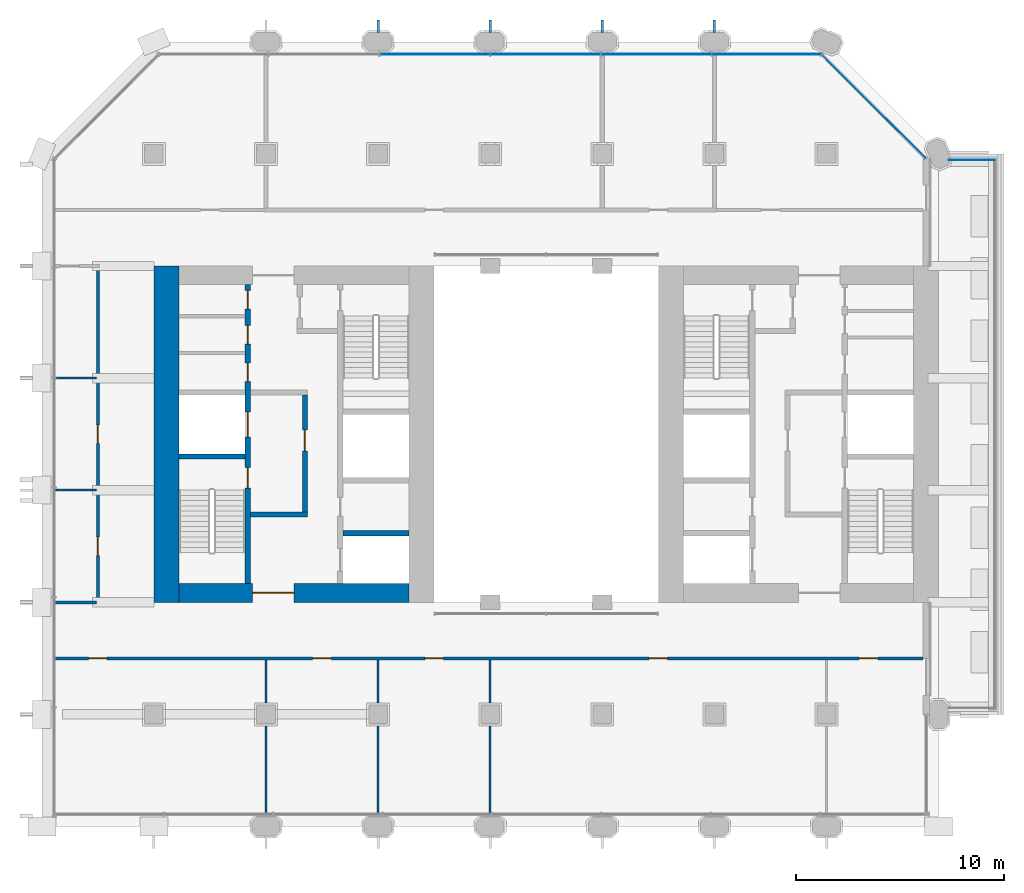
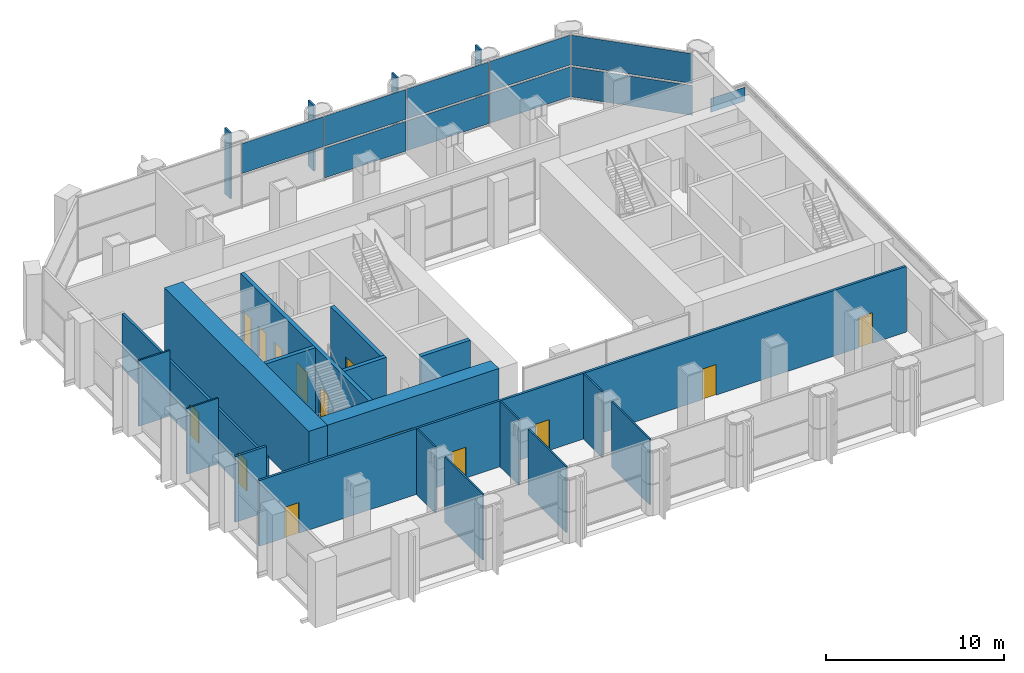
# One storey, part 10 of 15: 18 walls, 14 doors, 14 plates, 14 openings, 2 elements without a shape of their own.
"""IFC4 building model written with IfcOpenShell, lengths in metres."""

from ifc_helpers import new_model, si_unit, direction, frame, frame_2d, origin, origin_2d, place, context, subcontext, project, spatial, rectangle, extrude, material, layer, layer_set, type_object, element, fill, aggregate, save


model = new_model("IFC4")

# Units and contexts
model_context = context("Model", 3, precision=1e-05, world=origin(), true_north=direction((0.0, 1.0)))
body_context = subcontext(model_context, "Body", "Model", "MODEL_VIEW")
ifc_project = project(units=[si_unit("LENGTHUNIT", "METRE"), si_unit("AREAUNIT", "SQUARE_METRE"), si_unit("VOLUMEUNIT", "CUBIC_METRE"), si_unit("PLANEANGLEUNIT", "RADIAN"), si_unit("MASSUNIT", "GRAM", prefix="KILO")], contexts=[model_context])

# Site, building, storey
site_placement = place(None, origin())
site = spatial("IfcSite", under=ifc_project, at=site_placement, CompositionType="ELEMENT")
building_placement = place(site_placement, origin())
building = spatial("IfcBuilding", under=site, at=building_placement, Name="Tabaq Tower and Sports Hall", CompositionType="ELEMENT")
storey_placement = place(building_placement, frame((0.0, 0.0, 143.199951171875)))
storey = spatial("IfcBuildingStorey", under=building, at=storey_placement, Name="L33", CompositionType="ELEMENT", Elevation=143.199951171875)

# Curtain wall, plates
ifc_material_1 = material(Name="Aluminium alloy 6063-T6 framed glazing", Category="aluminium")
curtain_wall_type = type_object("IfcCurtainWallType", Name="CW3 curtain wall", PredefinedType="USERDEFINED", material=ifc_material_1)
curtain_wall_1_placement = place(storey_placement, origin())
curtain_wall_1 = element("IfcCurtainWall", 1, at=curtain_wall_1_placement, inside=storey, type_object=curtain_wall_type, Name="Garden Floor Wall L33 NE", ObjectType="GARDEN FLOOR WALL", PredefinedType="USERDEFINED")
ifc_material_2 = material(Name="Clear low-emissivity glass 28 mm", Category="glass")
ifc_layer_1 = layer(ifc_material_2, 0.028076171875)
ifc_layer_set_1 = layer_set([ifc_layer_1], Name="CW3 glass panel 28")
plate_type_1 = type_object("IfcPlateType", Name="CW3 glass panel 28", PredefinedType="CURTAIN_PANEL", material=ifc_layer_set_1)
plate_1_placement = place(storey_placement, frame((40.07568359375, 40.07568359375, 0.14013671875), z_axis=(0.0, 0.0, 1.0), x_axis=(-0.707106781187, 0.707106781187, 0.0)))
plate_1 = element("IfcPlate", 2, at=plate_1_placement, type_object=plate_type_1, Name="CW3 panel 1.1", PredefinedType="CURTAIN_PANEL", context=body_context, shape_type="SweptSolid", body=[
    extrude(rectangle(XDim=7.019775390625, YDim=0.028076171875, at=origin_2d()), origin(), (0.0, 0.0, 1.0), 2.0400390625),
])
plate_2_placement = place(storey_placement, frame((40.07568359375, 40.07568359375, 2.320068359375), z_axis=(0.0, 0.0, 1.0), x_axis=(-0.707106781187, 0.707106781187, 0.0)))
plate_2 = element("IfcPlate", 3, at=plate_2_placement, type_object=plate_type_1, Name="CW3 panel 1.2", PredefinedType="CURTAIN_PANEL", context=body_context, shape_type="SweptSolid", body=[
    extrude(rectangle(XDim=7.019775390625, YDim=0.028076171875, at=origin_2d()), origin(), (0.0, 0.0, 1.0), 2.0400390625),
])
aggregate(curtain_wall_1, [plate_1, plate_2])

curtain_wall_2_placement = place(storey_placement, origin())
curtain_wall_2 = element("IfcCurtainWall", 4, at=curtain_wall_2_placement, inside=storey, type_object=curtain_wall_type, Name="Garden Floor Wall L33 N", ObjectType="GARDEN FLOOR WALL", PredefinedType="USERDEFINED")
plate_3_placement = place(storey_placement, frame((34.9296875, 42.60009765625, 0.14013671875), z_axis=(0.0, 0.0, 1.0), x_axis=(-1.0, 0.0, 0.0)))
plate_3 = element("IfcPlate", 5, at=plate_3_placement, type_object=plate_type_1, Name="CW3 panel 1.1", PredefinedType="CURTAIN_PANEL", context=body_context, shape_type="SweptSolid", body=[
    extrude(rectangle(XDim=5.247802734375, YDim=0.028076171875, at=origin_2d()), origin(), (0.0, 0.0, 1.0), 2.0400390625),
])
plate_4_placement = place(storey_placement, frame((34.9296875, 42.60009765625, 2.320068359375), z_axis=(0.0, 0.0, 1.0), x_axis=(-1.0, 0.0, 0.0)))
plate_4 = element("IfcPlate", 6, at=plate_4_placement, type_object=plate_type_1, Name="CW3 panel 1.2", PredefinedType="CURTAIN_PANEL", context=body_context, shape_type="SweptSolid", body=[
    extrude(rectangle(XDim=5.247802734375, YDim=0.028076171875, at=origin_2d()), origin(), (0.0, 0.0, 1.0), 2.0400390625),
])
plate_5_placement = place(storey_placement, frame((29.606689453125, 42.60009765625, 0.14013671875), z_axis=(0.0, 0.0, 1.0), x_axis=(-1.0, 0.0, 0.0)))
plate_5 = element("IfcPlate", 7, at=plate_5_placement, type_object=plate_type_1, Name="CW3 panel 2.1", PredefinedType="CURTAIN_PANEL", context=body_context, shape_type="SweptSolid", body=[
    extrude(rectangle(XDim=5.27783203125, YDim=0.028076171875, at=origin_2d()), origin(), (0.0, 0.0, 1.0), 2.0400390625),
])
plate_6_placement = place(storey_placement, frame((29.606689453125, 42.60009765625, 2.320068359375), z_axis=(0.0, 0.0, 1.0), x_axis=(-1.0, 0.0, 0.0)))
plate_6 = element("IfcPlate", 8, at=plate_6_placement, type_object=plate_type_1, Name="CW3 panel 2.2", PredefinedType="CURTAIN_PANEL", context=body_context, shape_type="SweptSolid", body=[
    extrude(rectangle(XDim=5.27783203125, YDim=0.028076171875, at=origin_2d()), origin(), (0.0, 0.0, 1.0), 2.0400390625),
])
plate_7_placement = place(storey_placement, frame((24.26904296875, 42.60009765625, 0.14013671875), z_axis=(0.0, 0.0, 1.0), x_axis=(-1.0, 0.0, 0.0)))
plate_7 = element("IfcPlate", 9, at=plate_7_placement, type_object=plate_type_1, Name="CW3 panel 3.1", PredefinedType="CURTAIN_PANEL", context=body_context, shape_type="SweptSolid", body=[
    extrude(rectangle(XDim=5.27783203125, YDim=0.028076171875, at=origin_2d()), origin(), (0.0, 0.0, 1.0), 2.0400390625),
])
plate_8_placement = place(storey_placement, frame((24.26904296875, 42.60009765625, 2.320068359375), z_axis=(0.0, 0.0, 1.0), x_axis=(-1.0, 0.0, 0.0)))
plate_8 = element("IfcPlate", 10, at=plate_8_placement, type_object=plate_type_1, Name="CW3 panel 3.2", PredefinedType="CURTAIN_PANEL", context=body_context, shape_type="SweptSolid", body=[
    extrude(rectangle(XDim=5.27783203125, YDim=0.028076171875, at=origin_2d()), origin(), (0.0, 0.0, 1.0), 2.0400390625),
])
plate_9_placement = place(storey_placement, frame((18.93115234375, 42.60009765625, 2.320068359375), z_axis=(0.0, 0.0, 1.0), x_axis=(-1.0, 0.0, 0.0)))
plate_9 = element("IfcPlate", 11, at=plate_9_placement, type_object=plate_type_1, Name="CW3 panel 4.2", PredefinedType="CURTAIN_PANEL", context=body_context, shape_type="SweptSolid", body=[
    extrude(rectangle(XDim=5.27783203125, YDim=0.028076171875, at=origin_2d()), origin(), (0.0, 0.0, 1.0), 2.0400390625),
])
aggregate(curtain_wall_2, [plate_3, plate_4, plate_5, plate_6, plate_7, plate_8, plate_9])

# Plates
ifc_material_3 = material(Name="Clear low-emissivity glass 28 mm", Category="glass")
ifc_layer_2 = layer(ifc_material_3, 0.02001953125)
ifc_layer_set_2 = layer_set([ifc_layer_2], Name="Laminated glass tray guard panel 20")
plate_type_2 = type_object("IfcPlateType", Name="Laminated glass tray guard panel 20", PredefinedType="USERDEFINED", material=ifc_layer_set_2)
plate_10_placement = place(storey_placement, frame((45.89990234375, 37.5, 0.0), z_axis=(0.0, 0.0, 1.0), x_axis=(-1.0, 0.0, 0.0)))
element("IfcPlate", 12, at=plate_10_placement, inside=storey, type_object=plate_type_2, Name="Tray guard glass L33", ObjectType="GUARD GLASS", PredefinedType="USERDEFINED", context=body_context, shape_type="SweptSolid", body=[
    extrude(rectangle(XDim=2.199951171875, YDim=0.02001953125, at=frame_2d((1.10009765625, 0.0))), origin(), (0.0, 0.0, 1.0), 0.949951171875),
])
ifc_material_4 = material(Name="White precast concrete C60/75 fin", Category="concrete")
ifc_layer_3 = layer(ifc_material_4, 0.1201171875)
ifc_layer_set_3 = layer_set([ifc_layer_3], Name="White precast concrete C60/75 fin 120")
plate_type_3 = type_object("IfcPlateType", Name="White precast concrete C60/75 fin 120", PredefinedType="USERDEFINED", material=ifc_layer_set_3)
for number, where, z_axis, x_axis, name in (
    (13, (32.39990234375, 43.949951171875, 0.0), (0.0, 0.0, 1.0), (-1.0, 0.0, 0.0), "Fin L33 N"),
    (14, (27.0, 43.949951171875, 0.0), (0.0, 0.0, 1.0), (-1.0, 0.0, 0.0), "Fin L33 N"),
    (15, (21.60009765625, 43.949951171875, 0.0), (0.0, 0.0, 1.0), (-1.0, 0.0, 0.0), "Fin L33 N"),
    (16, (16.199951171875, 43.949951171875, 0.0), (0.0, 0.0, 1.0), (-1.0, 0.0, 0.0), "Fin L33 N"),
):
    element("IfcPlate", number, at=place(storey_placement, frame(where, z_axis=z_axis, x_axis=x_axis)), inside=storey, type_object=plate_type_3, Name=name, ObjectType="FIN", PredefinedType="USERDEFINED", context=body_context, shape_type="SweptSolid", body=[
        extrude(rectangle(XDim=0.1201171875, YDim=0.60009765625, at=origin_2d()), origin(), (0.0, 0.0, 1.0), 4.5),
    ])

# Wall
ifc_material_5 = material(Name="Concrete C50/60", Category="concrete")
ifc_layer_4 = layer(ifc_material_5, 1.199951171875)
ifc_layer_set_4 = layer_set([ifc_layer_4], Name="Core wall 1200 Concrete C50/60")
wall_type_1 = type_object("IfcWallType", Name="Core wall 1200 Concrete C50/60", PredefinedType="SOLIDWALL", material=ifc_layer_set_4)
wall_1_placement = place(storey_placement, frame((6.0, 16.199951171875, 0.0), z_axis=(0.0, 0.0, 1.0), x_axis=(0.0, 1.0, 0.0)))
element("IfcWall", 17, at=wall_1_placement, inside=storey, type_object=wall_type_1, Name="Core wall W L33", PredefinedType="SOLIDWALL", context=body_context, shape_type="SweptSolid", body=[
    extrude(rectangle(XDim=16.199951171875, YDim=1.199951171875, at=frame_2d((8.10009765625, 0.0))), origin(), (0.0, 0.0, 1.0), 4.5),
])

# Wall, opening, door
ifc_material_6 = material(Name="Concrete C50/60", Category="concrete")
ifc_layer_5 = layer(ifc_material_6, 0.89990234375)
ifc_layer_set_5 = layer_set([ifc_layer_5], Name="Core wall 900 Concrete C50/60")
wall_type_2 = type_object("IfcWallType", Name="Core wall 900 Concrete C50/60", PredefinedType="SOLIDWALL", material=ifc_layer_set_5)
wall_2_placement = place(storey_placement, frame((17.699951171875, 16.64990234375, 0.0), z_axis=(0.0, 0.0, 1.0), x_axis=(-1.0, 0.0, 0.0)))
wall_2 = element("IfcWall", 18, at=wall_2_placement, inside=storey, type_object=wall_type_2, Name="Core wall W L33", PredefinedType="SOLIDWALL", context=body_context, shape_type="SweptSolid", body=[
    extrude(rectangle(XDim=11.099853515625, YDim=0.89990234375, at=frame_2d((5.5498046875, 0.0))), origin(), (0.0, 0.0, 1.0), 4.5),
])
opening_1_placement = place(wall_2_placement, frame((5.550048828125, 0.0, 0.0)))
opening_1 = element("IfcOpeningElement", 19, at=opening_1_placement, cuts=wall_2, Name="Opening PD-WL33-01", PredefinedType="OPENING", context=body_context, shape_type="SweptSolid", body=[
    extrude(rectangle(XDim=2.0, YDim=2.39990234375, at=frame_2d((1.0, 1.199951171875))), frame((0.0, 0.449951171875, 0.0), z_axis=(0.0, -1.0, 0.0), x_axis=(1.0, 0.0, 0.0)), (0.0, 0.0, 1.0), 0.89990234375),
])
ifc_material_7 = material(Name="Steel fire door", Category="steel")
door_type_1 = type_object("IfcDoorType", Name="Core entrance door 2000", OperationType="DOUBLE_DOOR_SINGLE_SWING", PredefinedType="DOOR", material=ifc_material_7)
door_1_placement = place(opening_1_placement, origin())
door_1 = element("IfcDoor", 20, at=door_1_placement, inside=storey, type_object=door_type_1, Name="Core entrance south W L33", OperationType="DOUBLE_DOOR_SINGLE_SWING", OverallHeight=2.39990234375, OverallWidth=2.0, PredefinedType="DOOR", context=body_context, shape_type="SweptSolid", body=[
    extrude(rectangle(XDim=2.0, YDim=2.39990234375, at=frame_2d((1.0, 1.199951171875))), frame((0.0, 0.02490234375, 0.0), z_axis=(0.0, -1.0, 0.0), x_axis=(1.0, 0.0, 0.0)), (0.0, 0.0, 1.0), 0.050048828125),
])
fill(opening_1, door_1)

# Walls
ifc_material_8 = material(Name="Gypsum board on steel studs", Category="steel")
ifc_layer_6 = layer(ifc_material_8, 0.10009765625)
ifc_layer_set_6 = layer_set([ifc_layer_6], Name="Partition 100 Gypsum board")
wall_type_3 = type_object("IfcWallType", Name="Partition 100 Gypsum board", PredefinedType="PARTITIONING", material=ifc_layer_set_6)
wall_3_placement = place(storey_placement, frame((10.800048828125, 6.0, 0.0), z_axis=(0.0, 0.0, 1.0), x_axis=(0.0, 1.0, 0.0)))
element("IfcWall", 21, at=wall_3_placement, inside=storey, type_object=wall_type_3, Name="Partition wall L33", PredefinedType="PARTITIONING", context=body_context, shape_type="SweptSolid", body=[
    extrude(rectangle(XDim=4.249267578125, YDim=0.10009765625, at=frame_2d((2.12451171875, 0.0))), origin(), (0.0, 0.0, 1.0), 4.5),
])
wall_4_placement = place(storey_placement, frame((10.800048828125, 11.3505859375, 0.0), z_axis=(0.0, 0.0, 1.0), x_axis=(0.0, 1.0, 0.0)))
element("IfcWall", 22, at=wall_4_placement, inside=storey, type_object=wall_type_3, Name="Partition wall L33", PredefinedType="PARTITIONING", context=body_context, shape_type="SweptSolid", body=[
    extrude(rectangle(XDim=2.074462890625, YDim=0.10009765625, at=frame_2d((1.037109375, 0.0))), origin(), (0.0, 0.0, 1.0), 4.5),
])
wall_5_placement = place(storey_placement, frame((16.199951171875, 6.0, 0.0), z_axis=(0.0, 0.0, 1.0), x_axis=(0.0, 1.0, 0.0)))
element("IfcWall", 23, at=wall_5_placement, inside=storey, type_object=wall_type_3, Name="Partition wall L33", PredefinedType="PARTITIONING", context=body_context, shape_type="SweptSolid", body=[
    extrude(rectangle(XDim=4.249267578125, YDim=0.10009765625, at=frame_2d((2.12451171875, 0.0))), origin(), (0.0, 0.0, 1.0), 4.5),
])
wall_6_placement = place(storey_placement, frame((16.199951171875, 11.3505859375, 0.0), z_axis=(0.0, 0.0, 1.0), x_axis=(0.0, 1.0, 0.0)))
element("IfcWall", 24, at=wall_6_placement, inside=storey, type_object=wall_type_3, Name="Partition wall L33", PredefinedType="PARTITIONING", context=body_context, shape_type="SweptSolid", body=[
    extrude(rectangle(XDim=2.074462890625, YDim=0.10009765625, at=frame_2d((1.037109375, 0.0))), origin(), (0.0, 0.0, 1.0), 4.5),
])
wall_7_placement = place(storey_placement, frame((21.60009765625, 6.0, 0.0), z_axis=(0.0, 0.0, 1.0), x_axis=(0.0, 1.0, 0.0)))
element("IfcWall", 25, at=wall_7_placement, inside=storey, type_object=wall_type_3, Name="Partition wall L33", PredefinedType="PARTITIONING", context=body_context, shape_type="SweptSolid", body=[
    extrude(rectangle(XDim=4.249267578125, YDim=0.10009765625, at=frame_2d((2.12451171875, 0.0))), origin(), (0.0, 0.0, 1.0), 4.5),
])
wall_8_placement = place(storey_placement, frame((21.60009765625, 11.3505859375, 0.0), z_axis=(0.0, 0.0, 1.0), x_axis=(0.0, 1.0, 0.0)))
element("IfcWall", 26, at=wall_8_placement, inside=storey, type_object=wall_type_3, Name="Partition wall L33", PredefinedType="PARTITIONING", context=body_context, shape_type="SweptSolid", body=[
    extrude(rectangle(XDim=2.074462890625, YDim=0.10009765625, at=frame_2d((1.037109375, 0.0))), origin(), (0.0, 0.0, 1.0), 4.5),
])
for number, where, z_axis, x_axis, name in (
    (27, (2.625, 21.60009765625, 0.0), (0.0, 0.0, 1.0), (-1.0, 0.0, 0.0), "Partition wall L33"),
    (28, (2.625, 27.0, 0.0), (0.0, 0.0, 1.0), (-1.0, 0.0, 0.0), "Partition wall L33"),
):
    element("IfcWall", number, at=place(storey_placement, frame(where, z_axis=z_axis, x_axis=x_axis)), inside=storey, type_object=wall_type_3, Name=name, PredefinedType="PARTITIONING", context=body_context, shape_type="SweptSolid", body=[
        extrude(rectangle(XDim=2.02490234375, YDim=0.10009765625, at=frame_2d((1.012451171875, 0.0))), origin(), (0.0, 0.0, 1.0), 4.5),
    ])

# Wall, openings, doors
ifc_material_9 = material(Name="Blockwork", Category="masonry")
ifc_layer_7 = layer(ifc_material_9, 0.14990234375)
ifc_layer_set_7 = layer_set([ifc_layer_7], Name="Separating wall 150 Blockwork")
wall_type_4 = type_object("IfcWallType", Name="Separating wall 150 Blockwork", PredefinedType="PARTITIONING", material=ifc_layer_set_7)
wall_9_placement = place(storey_placement, frame((2.699951171875, 32.324951171875, 0.0), z_axis=(0.0, 0.0, 1.0), x_axis=(0.0, -1.0, 0.0)))
wall_9 = element("IfcWall", 29, at=wall_9_placement, inside=storey, type_object=wall_type_4, Name="Separating wall L33", PredefinedType="PARTITIONING", context=body_context, shape_type="SweptSolid", body=[
    extrude(rectangle(XDim=16.199951171875, YDim=0.14990234375, at=frame_2d((8.10009765625, 0.0))), origin(), (0.0, 0.0, 1.0), 3.75),
])
opening_2_placement = place(wall_9_placement, frame((12.97509765625, 0.0, 0.0)))
opening_2 = element("IfcOpeningElement", 30, at=opening_2_placement, cuts=wall_9, Name="Opening L33-010", PredefinedType="OPENING", context=body_context, shape_type="SweptSolid", body=[
    extrude(rectangle(XDim=0.89990234375, YDim=2.10009765625, at=frame_2d((0.449951171875, 1.050048828125))), frame((0.0, 0.074951171875, 0.0), z_axis=(0.0, -1.0, 0.0), x_axis=(1.0, 0.0, 0.0)), (0.0, 0.0, 1.0), 0.14990234375),
])
opening_3_placement = place(wall_9_placement, frame((7.574951171875, 0.0, 0.0)))
opening_3 = element("IfcOpeningElement", 31, at=opening_3_placement, cuts=wall_9, Name="Opening L33-011", PredefinedType="OPENING", context=body_context, shape_type="SweptSolid", body=[
    extrude(rectangle(XDim=0.89990234375, YDim=2.10009765625, at=frame_2d((0.449951171875, 1.050048828125))), frame((0.0, 0.074951171875, 0.0), z_axis=(0.0, -1.0, 0.0), x_axis=(1.0, 0.0, 0.0)), (0.0, 0.0, 1.0), 0.14990234375),
])
ifc_material_10 = material(Name="Timber leaf in steel frame", Category="steel")
door_type_2 = type_object("IfcDoorType", Name="Internal door 900 right hand", OperationType="SINGLE_SWING_RIGHT", PredefinedType="DOOR", material=ifc_material_10)
door_2_placement = place(opening_2_placement, origin())
door_2 = element("IfcDoor", 32, at=door_2_placement, inside=storey, type_object=door_type_2, Name="Internal door L33-010", OperationType="SINGLE_SWING_RIGHT", OverallHeight=2.10009765625, OverallWidth=0.89990234375, PredefinedType="DOOR", context=body_context, shape_type="SweptSolid", body=[
    extrude(rectangle(XDim=0.89990234375, YDim=2.10009765625, at=frame_2d((0.449951171875, 1.050048828125))), frame((0.0, 0.02490234375, 0.0), z_axis=(0.0, -1.0, 0.0), x_axis=(1.0, 0.0, 0.0)), (0.0, 0.0, 1.0), 0.050048828125),
])
fill(opening_2, door_2)
door_3_placement = place(opening_3_placement, origin())
door_3 = element("IfcDoor", 33, at=door_3_placement, inside=storey, type_object=door_type_2, Name="Internal door L33-011", OperationType="SINGLE_SWING_RIGHT", OverallHeight=2.10009765625, OverallWidth=0.89990234375, PredefinedType="DOOR", context=body_context, shape_type="SweptSolid", body=[
    extrude(rectangle(XDim=0.89990234375, YDim=2.10009765625, at=frame_2d((0.449951171875, 1.050048828125))), frame((0.0, 0.02490234375, 0.0), z_axis=(0.0, -1.0, 0.0), x_axis=(1.0, 0.0, 0.0)), (0.0, 0.0, 1.0), 0.050048828125),
])
fill(opening_3, door_3)

# Wall
wall_10_placement = place(storey_placement, frame((2.625, 16.199951171875, 0.0), z_axis=(0.0, 0.0, 1.0), x_axis=(-1.0, 0.0, 0.0)))
element("IfcWall", 34, at=wall_10_placement, inside=storey, type_object=wall_type_4, Name="Separating wall L33", PredefinedType="PARTITIONING", context=body_context, shape_type="SweptSolid", body=[
    extrude(rectangle(XDim=2.02490234375, YDim=0.14990234375, at=frame_2d((1.012451171875, 0.0))), origin(), (0.0, 0.0, 1.0), 4.5),
])

# Wall, openings, doors
wall_11_placement = place(storey_placement, frame((0.60009765625, 13.5, 0.0), z_axis=(0.0, 0.0, 1.0), x_axis=(1.0, 0.0, 0.0)))
wall_11 = element("IfcWall", 35, at=wall_11_placement, inside=storey, type_object=wall_type_4, Name="Separating wall L33", PredefinedType="PARTITIONING", context=body_context, shape_type="SweptSolid", body=[
    extrude(rectangle(XDim=41.848876953125, YDim=0.14990234375, at=frame_2d((20.92431640625, 0.0))), origin(), (0.0, 0.0, 1.0), 4.5),
])
opening_4_placement = place(wall_11_placement, frame((1.64990234375, 0.0, 0.0)))
opening_4 = element("IfcOpeningElement", 36, at=opening_4_placement, cuts=wall_11, Name="Opening L33-005", PredefinedType="OPENING", context=body_context, shape_type="SweptSolid", body=[
    extrude(rectangle(XDim=0.89990234375, YDim=2.10009765625, at=frame_2d((0.449951171875, 1.050048828125))), frame((0.0, 0.074951171875, 0.0), z_axis=(0.0, -1.0, 0.0), x_axis=(1.0, 0.0, 0.0)), (0.0, 0.0, 1.0), 0.14990234375),
])
opening_5_placement = place(wall_11_placement, frame((12.449951171875, 0.0, 0.0)))
opening_5 = element("IfcOpeningElement", 37, at=opening_5_placement, cuts=wall_11, Name="Opening L33-006", PredefinedType="OPENING", context=body_context, shape_type="SweptSolid", body=[
    extrude(rectangle(XDim=0.89990234375, YDim=2.10009765625, at=frame_2d((0.449951171875, 1.050048828125))), frame((0.0, 0.074951171875, 0.0), z_axis=(0.0, -1.0, 0.0), x_axis=(1.0, 0.0, 0.0)), (0.0, 0.0, 1.0), 0.14990234375),
])
opening_6_placement = place(wall_11_placement, frame((17.85009765625, 0.0, 0.0)))
opening_6 = element("IfcOpeningElement", 38, at=opening_6_placement, cuts=wall_11, Name="Opening L33-007", PredefinedType="OPENING", context=body_context, shape_type="SweptSolid", body=[
    extrude(rectangle(XDim=0.89990234375, YDim=2.10009765625, at=frame_2d((0.449951171875, 1.050048828125))), frame((0.0, 0.074951171875, 0.0), z_axis=(0.0, -1.0, 0.0), x_axis=(1.0, 0.0, 0.0)), (0.0, 0.0, 1.0), 0.14990234375),
])
opening_7_placement = place(wall_11_placement, frame((28.64990234375, 0.0, 0.0)))
opening_7 = element("IfcOpeningElement", 39, at=opening_7_placement, cuts=wall_11, Name="Opening L33-008", PredefinedType="OPENING", context=body_context, shape_type="SweptSolid", body=[
    extrude(rectangle(XDim=0.89990234375, YDim=2.10009765625, at=frame_2d((0.449951171875, 1.050048828125))), frame((0.0, 0.074951171875, 0.0), z_axis=(0.0, -1.0, 0.0), x_axis=(1.0, 0.0, 0.0)), (0.0, 0.0, 1.0), 0.14990234375),
])
opening_8_placement = place(wall_11_placement, frame((38.77490234375, 0.0, 0.0)))
opening_8 = element("IfcOpeningElement", 40, at=opening_8_placement, cuts=wall_11, Name="Opening L33-009", PredefinedType="OPENING", context=body_context, shape_type="SweptSolid", body=[
    extrude(rectangle(XDim=0.89990234375, YDim=2.10009765625, at=frame_2d((0.449951171875, 1.050048828125))), frame((0.0, 0.074951171875, 0.0), z_axis=(0.0, -1.0, 0.0), x_axis=(1.0, 0.0, 0.0)), (0.0, 0.0, 1.0), 0.14990234375),
])
ifc_material_11 = material(Name="Timber leaf in steel frame", Category="steel")
door_type_3 = type_object("IfcDoorType", Name="Internal door 900 left hand", OperationType="SINGLE_SWING_LEFT", PredefinedType="DOOR", material=ifc_material_11)
door_4_placement = place(opening_7_placement, origin())
door_4 = element("IfcDoor", 41, at=door_4_placement, inside=storey, type_object=door_type_3, Name="Internal door L33-008", OperationType="SINGLE_SWING_LEFT", OverallHeight=2.10009765625, OverallWidth=0.89990234375, PredefinedType="DOOR", context=body_context, shape_type="SweptSolid", body=[
    extrude(rectangle(XDim=0.89990234375, YDim=2.10009765625, at=frame_2d((0.449951171875, 1.050048828125))), frame((0.0, 0.02490234375, 0.0), z_axis=(0.0, -1.0, 0.0), x_axis=(1.0, 0.0, 0.0)), (0.0, 0.0, 1.0), 0.050048828125),
])
fill(opening_7, door_4)
door_5_placement = place(opening_8_placement, origin())
door_5 = element("IfcDoor", 42, at=door_5_placement, inside=storey, type_object=door_type_3, Name="Internal door L33-009", OperationType="SINGLE_SWING_LEFT", OverallHeight=2.10009765625, OverallWidth=0.89990234375, PredefinedType="DOOR", context=body_context, shape_type="SweptSolid", body=[
    extrude(rectangle(XDim=0.89990234375, YDim=2.10009765625, at=frame_2d((0.449951171875, 1.050048828125))), frame((0.0, 0.02490234375, 0.0), z_axis=(0.0, -1.0, 0.0), x_axis=(1.0, 0.0, 0.0)), (0.0, 0.0, 1.0), 0.050048828125),
])
fill(opening_8, door_5)
door_6_placement = place(opening_4_placement, origin())
door_6 = element("IfcDoor", 43, at=door_6_placement, inside=storey, type_object=door_type_2, Name="Internal door L33-005", OperationType="SINGLE_SWING_RIGHT", OverallHeight=2.10009765625, OverallWidth=0.89990234375, PredefinedType="DOOR", context=body_context, shape_type="SweptSolid", body=[
    extrude(rectangle(XDim=0.89990234375, YDim=2.10009765625, at=frame_2d((0.449951171875, 1.050048828125))), frame((0.0, 0.02490234375, 0.0), z_axis=(0.0, -1.0, 0.0), x_axis=(1.0, 0.0, 0.0)), (0.0, 0.0, 1.0), 0.050048828125),
])
fill(opening_4, door_6)
door_7_placement = place(opening_5_placement, origin())
door_7 = element("IfcDoor", 44, at=door_7_placement, inside=storey, type_object=door_type_2, Name="Internal door L33-006", OperationType="SINGLE_SWING_RIGHT", OverallHeight=2.10009765625, OverallWidth=0.89990234375, PredefinedType="DOOR", context=body_context, shape_type="SweptSolid", body=[
    extrude(rectangle(XDim=0.89990234375, YDim=2.10009765625, at=frame_2d((0.449951171875, 1.050048828125))), frame((0.0, 0.02490234375, 0.0), z_axis=(0.0, -1.0, 0.0), x_axis=(1.0, 0.0, 0.0)), (0.0, 0.0, 1.0), 0.050048828125),
])
fill(opening_5, door_7)
door_8_placement = place(opening_6_placement, origin())
door_8 = element("IfcDoor", 45, at=door_8_placement, inside=storey, type_object=door_type_2, Name="Internal door L33-007", OperationType="SINGLE_SWING_RIGHT", OverallHeight=2.10009765625, OverallWidth=0.89990234375, PredefinedType="DOOR", context=body_context, shape_type="SweptSolid", body=[
    extrude(rectangle(XDim=0.89990234375, YDim=2.10009765625, at=frame_2d((0.449951171875, 1.050048828125))), frame((0.0, 0.02490234375, 0.0), z_axis=(0.0, -1.0, 0.0), x_axis=(1.0, 0.0, 0.0)), (0.0, 0.0, 1.0), 0.050048828125),
])
fill(opening_6, door_8)

ifc_material_12 = material(Name="Concrete C40/50", Category="concrete")
ifc_layer_8 = layer(ifc_material_12, 0.25)
ifc_layer_set_8 = layer_set([ifc_layer_8], Name="Shaft and stair wall 250 Concrete C40/50")
wall_type_5 = type_object("IfcWallType", Name="Shaft and stair wall 250 Concrete C40/50", PredefinedType="SOLIDWALL", material=ifc_layer_set_8)
wall_12_placement = place(storey_placement, frame((9.925048828125, 17.10009765625, 0.0), z_axis=(0.0, 0.0, 1.0), x_axis=(0.0, 1.0, 0.0)))
wall_12 = element("IfcWall", 46, at=wall_12_placement, inside=storey, type_object=wall_type_5, Name="Shaft wall W L33", PredefinedType="SOLIDWALL", context=body_context, shape_type="SweptSolid", body=[
    extrude(rectangle(XDim=14.39990234375, YDim=0.25, at=frame_2d((7.199951171875, 0.0))), origin(), (0.0, 0.0, 1.0), 4.5),
])
opening_9_placement = place(wall_12_placement, frame((4.60009765625, 0.0, 0.0)))
opening_9 = element("IfcOpeningElement", 47, at=opening_9_placement, cuts=wall_12, Name="Opening SD-WL33-03", PredefinedType="OPENING", context=body_context, shape_type="SweptSolid", body=[
    extrude(rectangle(XDim=1.0, YDim=2.10009765625, at=frame_2d((0.5, 1.050048828125))), frame((0.0, 0.125, 0.0), z_axis=(0.0, -1.0, 0.0), x_axis=(1.0, 0.0, 0.0)), (0.0, 0.0, 1.0), 0.25),
])
opening_10_placement = place(wall_12_placement, frame((7.0625, 0.0, 0.0)))
opening_10 = element("IfcOpeningElement", 48, at=opening_10_placement, cuts=wall_12, Name="Opening LD-FF1-L33", PredefinedType="OPENING", context=body_context, shape_type="SweptSolid", body=[
    extrude(rectangle(XDim=1.199951171875, YDim=2.10009765625, at=frame_2d((0.60009765625, 1.050048828125))), frame((0.0, 0.125, 0.0), z_axis=(0.0, -1.0, 0.0), x_axis=(1.0, 0.0, 0.0)), (0.0, 0.0, 1.0), 0.25),
])
opening_11_placement = place(wall_12_placement, frame((9.7255859375, 0.0, 0.0)))
opening_11 = element("IfcOpeningElement", 49, at=opening_11_placement, cuts=wall_12, Name="Opening RD-WL33-09", PredefinedType="OPENING", context=body_context, shape_type="SweptSolid", body=[
    extrude(rectangle(XDim=0.89990234375, YDim=2.10009765625, at=frame_2d((0.449951171875, 1.050048828125))), frame((0.0, 0.125, 0.0), z_axis=(0.0, -1.0, 0.0), x_axis=(1.0, 0.0, 0.0)), (0.0, 0.0, 1.0), 0.25),
])
opening_12_placement = place(wall_12_placement, frame((11.5390625, 0.0, 0.0)))
opening_12 = element("IfcOpeningElement", 50, at=opening_12_placement, cuts=wall_12, Name="Opening RD-WL33-10", PredefinedType="OPENING", context=body_context, shape_type="SweptSolid", body=[
    extrude(rectangle(XDim=0.89990234375, YDim=2.10009765625, at=frame_2d((0.449951171875, 1.050048828125))), frame((0.0, 0.125, 0.0), z_axis=(0.0, -1.0, 0.0), x_axis=(1.0, 0.0, 0.0)), (0.0, 0.0, 1.0), 0.25),
])
opening_13_placement = place(wall_12_placement, frame((13.22607421875, 0.0, 0.0)))
opening_13 = element("IfcOpeningElement", 51, at=opening_13_placement, cuts=wall_12, Name="Opening RD-WL33-11", PredefinedType="OPENING", context=body_context, shape_type="SweptSolid", body=[
    extrude(rectangle(XDim=0.89990234375, YDim=2.10009765625, at=frame_2d((0.449951171875, 1.050048828125))), frame((0.0, 0.125, 0.0), z_axis=(0.0, -1.0, 0.0), x_axis=(1.0, 0.0, 0.0)), (0.0, 0.0, 1.0), 0.25),
])
ifc_material_13 = material(Name="Steel fire door", Category="steel")
door_type_4 = type_object("IfcDoorType", Name="Core room door 900", OperationType="SINGLE_SWING_LEFT", PredefinedType="DOOR", material=ifc_material_13)
door_9_placement = place(opening_11_placement, origin())
door_9 = element("IfcDoor", 52, at=door_9_placement, inside=storey, type_object=door_type_4, Name="Door Accessible WC W L33", OperationType="SINGLE_SWING_LEFT", OverallHeight=2.10009765625, OverallWidth=0.89990234375, PredefinedType="DOOR", context=body_context, shape_type="SweptSolid", body=[
    extrude(rectangle(XDim=0.89990234375, YDim=2.10009765625, at=frame_2d((0.449951171875, 1.050048828125))), frame((0.0, 0.02490234375, 0.0), z_axis=(0.0, -1.0, 0.0), x_axis=(1.0, 0.0, 0.0)), (0.0, 0.0, 1.0), 0.050048828125),
])
fill(opening_11, door_9)
door_10_placement = place(opening_12_placement, origin())
door_10 = element("IfcDoor", 53, at=door_10_placement, inside=storey, type_object=door_type_4, Name="Door Unisex WC W L33", OperationType="SINGLE_SWING_LEFT", OverallHeight=2.10009765625, OverallWidth=0.89990234375, PredefinedType="DOOR", context=body_context, shape_type="SweptSolid", body=[
    extrude(rectangle(XDim=0.89990234375, YDim=2.10009765625, at=frame_2d((0.449951171875, 1.050048828125))), frame((0.0, 0.02490234375, 0.0), z_axis=(0.0, -1.0, 0.0), x_axis=(1.0, 0.0, 0.0)), (0.0, 0.0, 1.0), 0.050048828125),
])
fill(opening_12, door_10)
door_11_placement = place(opening_13_placement, origin())
door_11 = element("IfcDoor", 54, at=door_11_placement, inside=storey, type_object=door_type_4, Name="Door Cleaner's Store W L33", OperationType="SINGLE_SWING_LEFT", OverallHeight=2.10009765625, OverallWidth=0.89990234375, PredefinedType="DOOR", context=body_context, shape_type="SweptSolid", body=[
    extrude(rectangle(XDim=0.89990234375, YDim=2.10009765625, at=frame_2d((0.449951171875, 1.050048828125))), frame((0.0, 0.02490234375, 0.0), z_axis=(0.0, -1.0, 0.0), x_axis=(1.0, 0.0, 0.0)), (0.0, 0.0, 1.0), 0.050048828125),
])
fill(opening_13, door_11)
ifc_material_14 = material(Name="Stainless steel", Category="steel")
door_type_5 = type_object("IfcDoorType", Name="Lift landing door 1200", OperationType="DOUBLE_DOOR_SLIDING", PredefinedType="DOOR", material=ifc_material_14)
door_12_placement = place(opening_10_placement, origin())
door_12 = element("IfcDoor", 55, at=door_12_placement, inside=storey, type_object=door_type_5, Name="Lift landing door FF1 W L33", OperationType="DOUBLE_DOOR_SLIDING", OverallHeight=2.10009765625, OverallWidth=1.199951171875, PredefinedType="DOOR", context=body_context, shape_type="SweptSolid", body=[
    extrude(rectangle(XDim=1.199951171875, YDim=2.10009765625, at=frame_2d((0.60009765625, 1.050048828125))), frame((0.0, 0.02490234375, 0.0), z_axis=(0.0, -1.0, 0.0), x_axis=(1.0, 0.0, 0.0)), (0.0, 0.0, 1.0), 0.050048828125),
])
fill(opening_10, door_12)
ifc_material_15 = material(Name="Steel fire door", Category="steel")
door_type_6 = type_object("IfcDoorType", Name="Stair door 1000", OperationType="SINGLE_SWING_LEFT", PredefinedType="DOOR", material=ifc_material_15)
door_13_placement = place(opening_9_placement, origin())
door_13 = element("IfcDoor", 56, at=door_13_placement, inside=storey, type_object=door_type_6, Name="Stair door ST1 W L33", OperationType="SINGLE_SWING_LEFT", OverallHeight=2.10009765625, OverallWidth=1.0, PredefinedType="DOOR", context=body_context, shape_type="SweptSolid", body=[
    extrude(rectangle(XDim=1.0, YDim=2.10009765625, at=frame_2d((0.5, 1.050048828125))), frame((0.0, 0.02490234375, 0.0), z_axis=(0.0, -1.0, 0.0), x_axis=(1.0, 0.0, 0.0)), (0.0, 0.0, 1.0), 0.050048828125),
])
fill(opening_9, door_13)

# Walls
wall_13_placement = place(storey_placement, frame((6.60009765625, 23.22509765625, 0.0), z_axis=(0.0, 0.0, 1.0), x_axis=(1.0, 0.0, 0.0)))
element("IfcWall", 57, at=wall_13_placement, inside=storey, type_object=wall_type_5, Name="Stair enclosure wall W L33", PredefinedType="SOLIDWALL", context=body_context, shape_type="SweptSolid", body=[
    extrude(rectangle(XDim=3.199951171875, YDim=0.25, at=frame_2d((1.60009765625, 0.0))), origin(), (0.0, 0.0, 1.0), 4.5),
])
wall_14_placement = place(storey_placement, frame((10.050048828125, 20.425048828125, 0.0), z_axis=(0.0, 0.0, 1.0), x_axis=(1.0, 0.0, 0.0)))
element("IfcWall", 58, at=wall_14_placement, inside=storey, type_object=wall_type_5, Name="Fire-fighting lobby wall W L33", PredefinedType="SOLIDWALL", context=body_context, shape_type="SweptSolid", body=[
    extrude(rectangle(XDim=2.75, YDim=0.25, at=frame_2d((1.375, 0.0))), origin(), (0.0, 0.0, 1.0), 4.5),
])

# Wall, opening, door
wall_15_placement = place(storey_placement, frame((12.675048828125, 20.550048828125, 0.0), z_axis=(0.0, 0.0, 1.0), x_axis=(0.0, 1.0, 0.0)))
wall_15 = element("IfcWall", 59, at=wall_15_placement, inside=storey, type_object=wall_type_5, Name="Fire-fighting lobby wall W L33", PredefinedType="SOLIDWALL", context=body_context, shape_type="SweptSolid", body=[
    extrude(rectangle(XDim=5.625, YDim=0.25, at=frame_2d((2.8125, 0.0))), origin(), (0.0, 0.0, 1.0), 4.5),
])
opening_14_placement = place(wall_15_placement, frame((2.949951171875, 0.0, 0.0)))
opening_14 = element("IfcOpeningElement", 60, at=opening_14_placement, cuts=wall_15, Name="Opening FD-WL33-04", PredefinedType="OPENING", context=body_context, shape_type="SweptSolid", body=[
    extrude(rectangle(XDim=1.0, YDim=2.10009765625, at=frame_2d((0.5, 1.050048828125))), frame((0.0, 0.125, 0.0), z_axis=(0.0, -1.0, 0.0), x_axis=(1.0, 0.0, 0.0)), (0.0, 0.0, 1.0), 0.25),
])
ifc_material_16 = material(Name="Steel fire door", Category="steel")
door_type_7 = type_object("IfcDoorType", Name="Fire-fighting lobby door 1000", OperationType="SINGLE_SWING_LEFT", PredefinedType="DOOR", material=ifc_material_16)
door_14_placement = place(opening_14_placement, origin())
door_14 = element("IfcDoor", 61, at=door_14_placement, inside=storey, type_object=door_type_7, Name="Fire-fighting lobby door W L33", OperationType="SINGLE_SWING_LEFT", OverallHeight=2.10009765625, OverallWidth=1.0, PredefinedType="DOOR", context=body_context, shape_type="SweptSolid", body=[
    extrude(rectangle(XDim=1.0, YDim=2.10009765625, at=frame_2d((0.5, 1.050048828125))), frame((0.0, 0.02490234375, 0.0), z_axis=(0.0, -1.0, 0.0), x_axis=(1.0, 0.0, 0.0)), (0.0, 0.0, 1.0), 0.050048828125),
])
fill(opening_14, door_14)

# Wall
wall_16_placement = place(storey_placement, frame((14.5, 19.52490234375, 0.0), z_axis=(0.0, 0.0, 1.0), x_axis=(1.0, 0.0, 0.0)))
element("IfcWall", 62, at=wall_16_placement, inside=storey, type_object=wall_type_5, Name="Shaft wall W L33", PredefinedType="SOLIDWALL", context=body_context, shape_type="SweptSolid", body=[
    extrude(rectangle(XDim=3.199951171875, YDim=0.25, at=frame_2d((1.60009765625, 0.0))), origin(), (0.0, 0.0, 1.0), 4.5),
])

save(model, "model.ifc")
